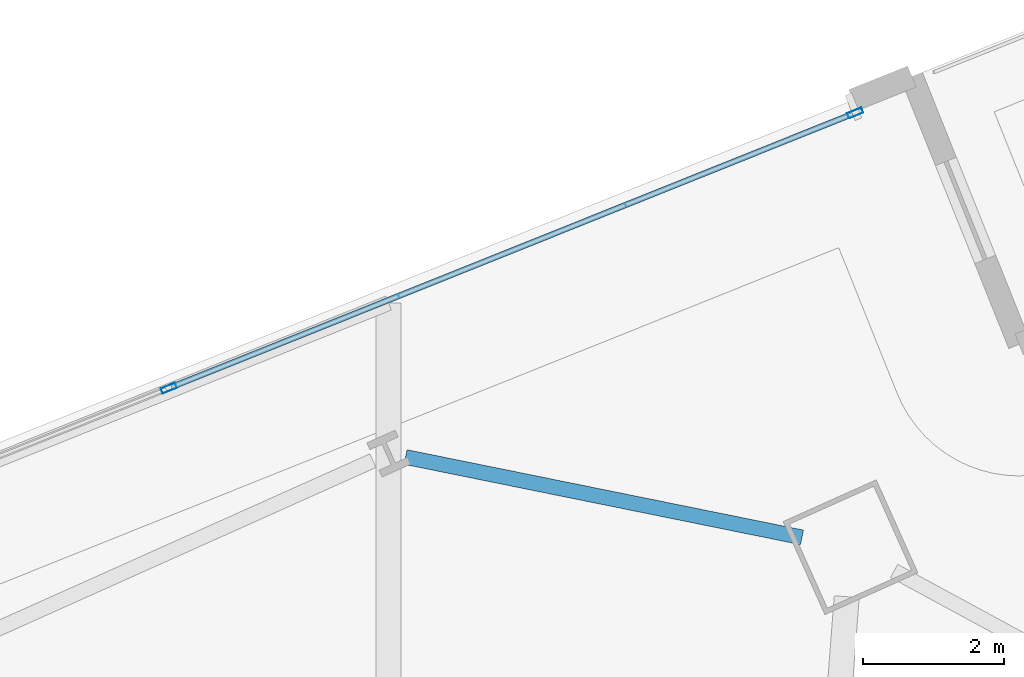
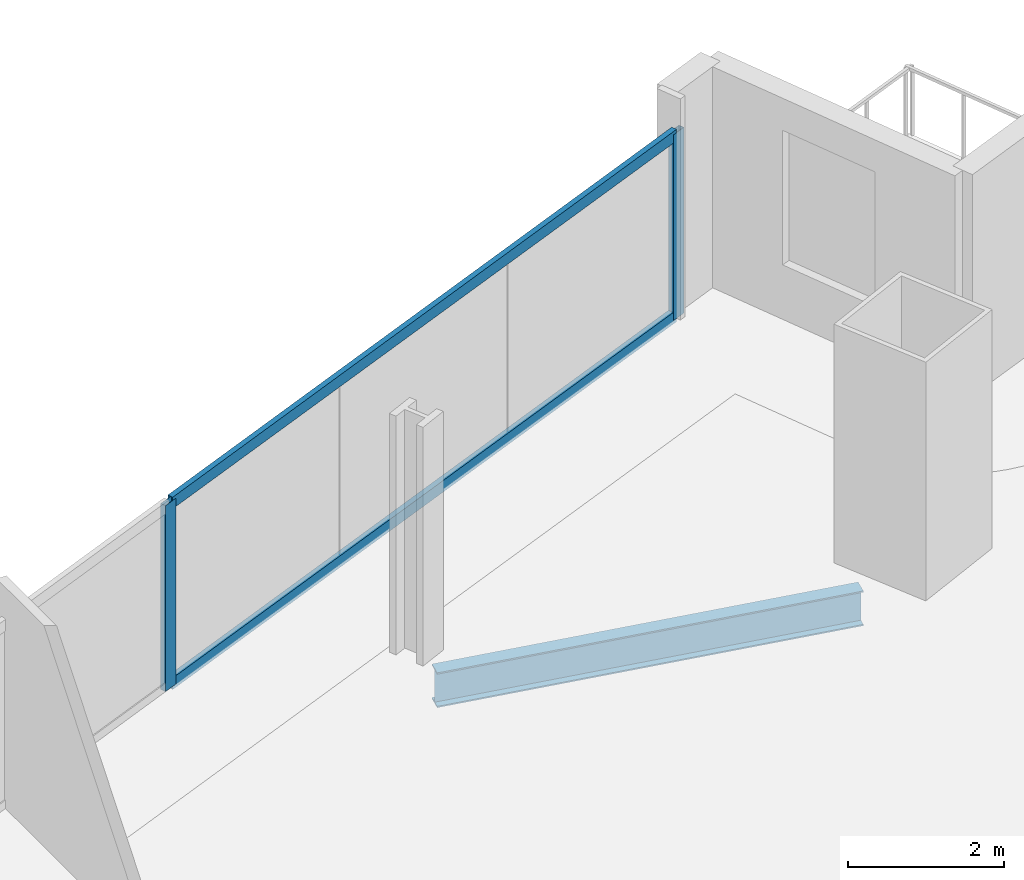
# One storey, part 21 of 33: 4 members, 1 beam, 1 element without a shape of its own.
"""IFC4 building model written with IfcOpenShell, lengths in metres."""

from ifc_helpers import new_model, si_unit, direction, frame, origin, origin_2d, place, context, subcontext, project, spatial, hollow_rectangle, i_section, extrude, material, material_profile, profile_set, type_object, element, aggregate, save


model = new_model("IFC4")

# Units and contexts
model_context = context("Model", 3, precision=1e-05, world=origin(), true_north=direction((0.0, 1.0)))
body_context = subcontext(model_context, "Body", "Model", "MODEL_VIEW")
ifc_project = project(units=[si_unit("LENGTHUNIT", "METRE"), si_unit("AREAUNIT", "SQUARE_METRE"), si_unit("VOLUMEUNIT", "CUBIC_METRE"), si_unit("PLANEANGLEUNIT", "RADIAN"), si_unit("MASSUNIT", "GRAM", prefix="KILO")], contexts=[model_context])

# Site, building, storey
site_placement = place(None, origin())
site = spatial("IfcSite", under=ifc_project, at=site_placement, CompositionType="ELEMENT")
building_placement = place(site_placement, origin())
building = spatial("IfcBuilding", under=site, at=building_placement, Name="Haldenkirk Collegiate Tower", CompositionType="ELEMENT")
storey_placement = place(building_placement, frame((0.0, 0.0, 101.699951171875)))
storey = spatial("IfcBuildingStorey", under=building, at=storey_placement, Name="L24", CompositionType="ELEMENT", Elevation=101.699951171875)

# Beam
ifc_material_1 = material(Name="Steel ASTM A992 Grade 50", Category="steel")
ifc_material_profile_1 = material_profile(ifc_material_1, i_section(OverallWidth=0.2119140625, OverallDepth=0.5439453125, WebThickness=0.01318359375, FlangeThickness=0.021240234375, at=origin_2d()), Name="W21X83")
ifc_profile_set_1 = profile_set([ifc_material_profile_1], Name="Steel ASTM A992 Grade 50")
beam_type = type_object("IfcBeamType", Name="BM-SPANDREL-W21X83", PredefinedType="SPANDREL", material=ifc_profile_set_1)
beam_placement = place(storey_placement, frame((45.590087890625, 50.750244140625, -0.572021484375), z_axis=(-0.980069318183, 0.198655811786, 0.0), x_axis=(-0.198655811786, -0.980069318183, 0.0)))
element("IfcBeam", 1, at=beam_placement, inside=storey, type_object=beam_type, Name="L24 perimeter spandrel beam 09", PredefinedType="SPANDREL", context=body_context, shape_type="SweptSolid", body=[
    extrude(i_section(OverallWidth=0.2119140625, OverallDepth=0.5439453125, WebThickness=0.01318359375, FlangeThickness=0.021240234375, at=origin_2d()), origin(), (0.0, 0.0, 1.0), 5.747802734375),
])

# Curtain wall, members
ifc_material_2 = material(Name="Anodised architectural bronze aluminium", Category="aluminium")
curtain_wall_type = type_object("IfcCurtainWallType", Name="CW-SYS1-CONVEX-LOW", PredefinedType="USERDEFINED", material=ifc_material_2)
curtain_wall_placement = place(storey_placement, origin())
curtain_wall = element("IfcCurtainWall", 2, at=curtain_wall_placement, inside=storey, type_object=curtain_wall_type, Name="L24 Lower tower convex bronze-framed unitised curtain wall", ObjectType="UNITISED CURTAIN WALL", PredefinedType="USERDEFINED")
ifc_material_profile_2 = material_profile(ifc_material_2, hollow_rectangle(XDim=0.080078125, YDim=0.219970703125, WallThickness=0.0048828125, at=origin_2d()), Name="CW-MUL-1A")
ifc_profile_set_2 = profile_set([ifc_material_profile_2], Name="Anodised architectural bronze aluminium")
member_type_1 = type_object("IfcMemberType", Name="CW-MUL-1A", PredefinedType="MULLION", material=ifc_profile_set_2)
member_1_placement = place(storey_placement, frame((36.591796875, 52.87060546875, 0.0), z_axis=(0.0, 0.0, 1.0), x_axis=(-0.372174984928, 0.928162583061, 0.0)))
member_1 = element("IfcMember", 3, at=member_1_placement, type_object=member_type_1, Name="CW-1A mullion 4", PredefinedType="MULLION", context=body_context, shape_type="SweptSolid", body=[
    extrude(hollow_rectangle(XDim=0.080078125, YDim=0.219970703125, WallThickness=0.0048828125, at=origin_2d()), origin(), (0.0, 0.0, 1.0), 2.901123046875),
])
member_2_placement = place(storey_placement, frame((46.346923828125, 56.7822265625, 0.0), z_axis=(0.0, 0.0, 1.0), x_axis=(-0.372174984928, 0.928162583061, 0.0)))
member_2 = element("IfcMember", 4, at=member_2_placement, type_object=member_type_1, Name="CW-1A mullion 5", PredefinedType="MULLION", context=body_context, shape_type="SweptSolid", body=[
    extrude(hollow_rectangle(XDim=0.080078125, YDim=0.219970703125, WallThickness=0.0048828125, at=origin_2d()), origin(), (0.0, 0.0, 1.0), 2.901123046875),
])
ifc_material_profile_3 = material_profile(ifc_material_2, hollow_rectangle(XDim=0.080078125, YDim=0.179931640625, WallThickness=0.0048828125, at=origin_2d()), Name="CW-TRN-1A")
ifc_profile_set_3 = profile_set([ifc_material_profile_3], Name="Anodised architectural bronze aluminium")
member_type_2 = type_object("IfcMemberType", Name="CW-TRN-1A", PredefinedType="USERDEFINED", material=ifc_profile_set_3)
member_3_placement = place(storey_placement, frame((36.62890625, 52.885498046875, 0.0400390625), z_axis=(0.928163189442, 0.372173472679, 0.0), x_axis=(-0.372173472679, 0.928163189442, 0.0)))
member_3 = element("IfcMember", 5, at=member_3_placement, type_object=member_type_2, Name="CW-1A transom 4.1", ObjectType="TRANSOM", PredefinedType="USERDEFINED", context=body_context, shape_type="SweptSolid", body=[
    extrude(hollow_rectangle(XDim=0.080078125, YDim=0.179931640625, WallThickness=0.0048828125, at=origin_2d()), origin(), (0.0, 0.0, 1.0), 10.43017578125),
])
member_4_placement = place(storey_placement, frame((36.62890625, 52.885498046875, 2.861083984375), z_axis=(0.928163189442, 0.372173472679, 0.0), x_axis=(-0.372173472679, 0.928163189442, 0.0)))
member_4 = element("IfcMember", 6, at=member_4_placement, type_object=member_type_2, Name="CW-1A transom 4.2", ObjectType="TRANSOM", PredefinedType="USERDEFINED", context=body_context, shape_type="SweptSolid", body=[
    extrude(hollow_rectangle(XDim=0.080078125, YDim=0.179931640625, WallThickness=0.0048828125, at=origin_2d()), origin(), (0.0, 0.0, 1.0), 10.43017578125),
])
aggregate(curtain_wall, [member_1, member_2, member_3, member_4])

save(model, "model.ifc")
